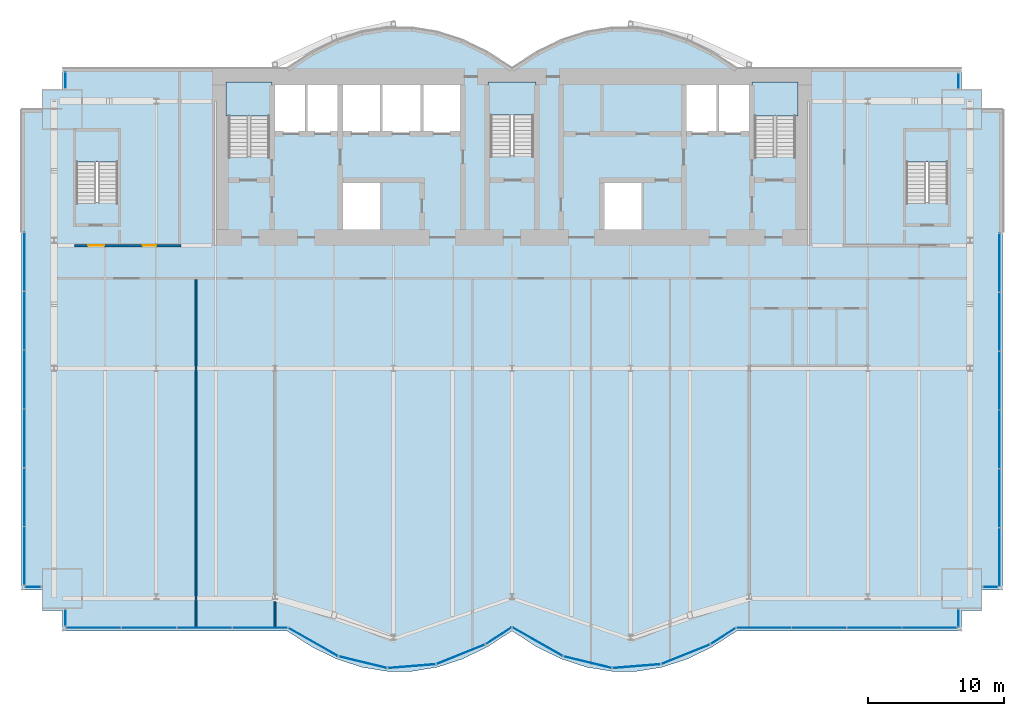
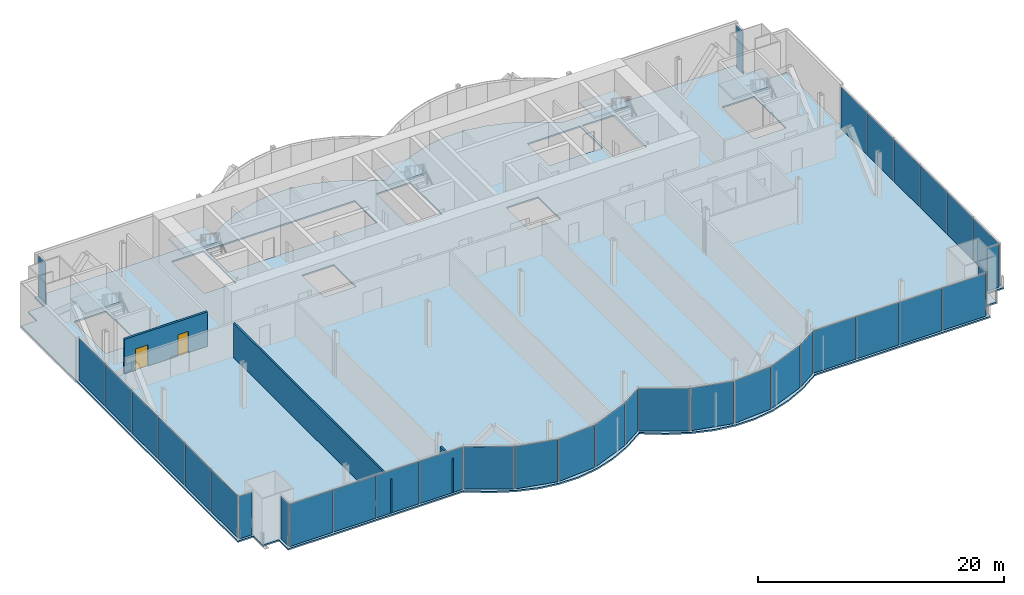
# One storey, part 14 of 21: 36 plates, 6 slabs, 3 walls, 2 doors, 2 openings, 17 elements without a shape of their own.
"""IFC4 building model written with IfcOpenShell, lengths in metres."""

from ifc_helpers import new_model, si_unit, direction, frame, frame_2d, origin, origin_2d, place, context, subcontext, project, spatial, polyline, rectangle, outline, extrude, material, layer, layer_set, type_object, element, fill, aggregate, save


model = new_model("IFC4")

# Units and contexts
model_context = context("Model", 3, precision=1e-05, world=origin(), true_north=direction((0.0, 1.0)))
body_context = subcontext(model_context, "Body", "Model", "MODEL_VIEW")
ifc_project = project(units=[si_unit("LENGTHUNIT", "METRE"), si_unit("AREAUNIT", "SQUARE_METRE"), si_unit("VOLUMEUNIT", "CUBIC_METRE"), si_unit("PLANEANGLEUNIT", "RADIAN"), si_unit("MASSUNIT", "GRAM", prefix="KILO")], contexts=[model_context])

# Site, building, storey
site_placement = place(None, origin())
site = spatial("IfcSite", under=ifc_project, at=site_placement, CompositionType="ELEMENT")
building_placement = place(site_placement, origin())
building = spatial("IfcBuilding", under=site, at=building_placement, Name="Bicima Exchange Tower", CompositionType="ELEMENT")
storey_placement = place(building_placement, frame((0.0, 0.0, 48.5)))
storey = spatial("IfcBuildingStorey", under=building, at=storey_placement, Name="L09", CompositionType="ELEMENT", Elevation=48.5)

# Slab
ifc_material_1 = material(Name="Concrete C40/50", Category="concrete")
ifc_layer_1 = layer(ifc_material_1, 0.14990234375)
ifc_layer_set_1 = layer_set([ifc_layer_1], Name="Concrete C40/50")
slab_type_1 = type_object("IfcSlabType", Name="Composite floor slab 150", PredefinedType="FLOOR", material=ifc_layer_set_1)
slab_1_placement = place(storey_placement, frame((0.0, 0.0, -0.14990234375)))
element("IfcSlab", 1, at=slab_1_placement, inside=storey, type_object=slab_type_1, Name="Floor slab", PredefinedType="FLOOR", context=body_context, shape_type="SweptSolid", body=[
    extrude(outline(polyline([(-36.0, -38.26806640625), (-36.0, -3.0), (-34.5, -3.0), (-34.5, -1.5), (-33.0, -1.5), (-33.0, 0.0), (-16.5, 0.0), (-14.666748046875, 1.185302734375), (-12.833251953125, 2.07421875), (-11.0, 2.666748046875), (-9.166748046875, 2.962890625), (-7.333251953125, 2.962890625), (-5.5, 2.666748046875), (-3.666748046875, 2.07421875), (-1.833251953125, 1.185302734375), (0.0, 0.0), (1.833251953125, 1.185302734375), (3.666748046875, 2.07421875), (5.5, 2.666748046875), (7.333251953125, 2.962890625), (9.166748046875, 2.962890625), (11.0, 2.666748046875), (12.833251953125, 2.07421875), (14.666748046875, 1.185302734375), (16.5, 0.0), (33.0, 0.0), (33.0, -1.5), (34.5, -1.5), (34.5, -3.0), (36.0, -3.0), (36.0, -38.26806640625), (34.5, -38.26806640625), (34.5, -39.76806640625), (33.0, -39.76806640625), (33.0, -41.26806640625), (16.5, -41.26806640625), (14.666748046875, -42.453125), (12.833251953125, -43.342041015625), (11.0, -43.934814453125), (9.166748046875, -44.23095703125), (7.333251953125, -44.23095703125), (5.5, -43.934814453125), (3.666748046875, -43.342041015625), (1.833251953125, -42.453125), (0.0, -41.26806640625), (-1.833251953125, -42.453125), (-3.666748046875, -43.342041015625), (-5.5, -43.934814453125), (-7.333251953125, -44.23095703125), (-9.166748046875, -44.23095703125), (-11.0, -43.934814453125), (-12.833251953125, -43.342041015625), (-14.666748046875, -42.453125), (-16.5, -41.26806640625), (-33.0, -41.26806640625), (-33.0, -39.76806640625), (-34.5, -39.76806640625), (-34.5, -38.26806640625), (-36.0, -38.26806640625)]), holes=[polyline([(-9.60009765625, -11.800048828125), (-9.60009765625, -8.199951171875), (-12.60009765625, -8.199951171875), (-12.60009765625, -11.800048828125), (-9.60009765625, -11.800048828125)]), polyline([(-31.97509765625, -9.824951171875), (-28.925048828125, -9.824951171875), (-28.925048828125, -4.625), (-31.97509765625, -4.625), (-31.97509765625, -9.824951171875)]), polyline([(-20.800048828125, -6.449951171875), (-17.800048828125, -6.449951171875), (-17.800048828125, -1.199951171875), (-20.800048828125, -1.199951171875), (-20.800048828125, -6.449951171875)]), polyline([(-9.60009765625, -1.199951171875), (-12.60009765625, -1.199951171875), (-15.10009765625, -1.199951171875), (-17.60009765625, -1.199951171875), (-17.60009765625, -4.800048828125), (-15.10009765625, -4.800048828125), (-12.60009765625, -4.800048828125), (-9.60009765625, -4.800048828125), (-6.60009765625, -4.800048828125), (-3.60009765625, -4.800048828125), (-3.60009765625, -1.199951171875), (-6.60009765625, -1.199951171875), (-9.60009765625, -1.199951171875)]), polyline([(9.60009765625, -11.800048828125), (9.60009765625, -8.199951171875), (6.60009765625, -8.199951171875), (6.60009765625, -11.800048828125), (9.60009765625, -11.800048828125)]), polyline([(28.925048828125, -9.824951171875), (31.97509765625, -9.824951171875), (31.97509765625, -4.625), (28.925048828125, -4.625), (28.925048828125, -9.824951171875)]), polyline([(17.800048828125, -6.449951171875), (20.800048828125, -6.449951171875), (20.800048828125, -1.199951171875), (17.800048828125, -1.199951171875), (17.800048828125, -6.449951171875)]), polyline([(-1.574951171875, -6.39990234375), (1.574951171875, -6.39990234375), (1.574951171875, -1.199951171875), (-1.574951171875, -1.199951171875), (-1.574951171875, -6.39990234375)]), polyline([(17.60009765625, -4.800048828125), (17.60009765625, -1.199951171875), (15.10009765625, -1.199951171875), (12.60009765625, -1.199951171875), (12.60009765625, -4.800048828125), (15.10009765625, -4.800048828125), (17.60009765625, -4.800048828125)])]), origin(), (0.0, 0.0, 1.0), 0.14990234375),
])

# Curtain wall, plates
ifc_material_2 = material(Name="Anodised bronze aluminium", Category="aluminium")
curtain_wall_type_1 = type_object("IfcCurtainWallType", Name="End face glass wall", PredefinedType="NOTDEFINED", material=ifc_material_2)
curtain_wall_1_placement = place(storey_placement, origin())
curtain_wall_1 = element("IfcCurtainWall", 2, at=curtain_wall_1_placement, inside=storey, type_object=curtain_wall_type_1, Name="End face glass wall L09 run 2", PredefinedType="NOTDEFINED")
ifc_material_3 = material(Name="Bronze tinted glass", Category="glass")
ifc_layer_2 = layer(ifc_material_3, 0.031982421875)
ifc_layer_set_2 = layer_set([ifc_layer_2], Name="Bronze tinted glass")
plate_type_1 = type_object("IfcPlateType", Name="End face glass wall glass panel 32", PredefinedType="CURTAIN_PANEL", material=ifc_layer_set_2)
plate_1_placement = place(storey_placement, frame((-35.77001953125, -18.50439453125, 0.0), z_axis=(0.0, 0.0, 1.0), x_axis=(0.0, -1.0, 0.0)))
plate_1 = element("IfcPlate", 3, at=plate_1_placement, type_object=plate_type_1, Name="End face glass wall panel 2.1", PredefinedType="CURTAIN_PANEL", context=body_context, shape_type="SweptSolid", body=[
    extrude(rectangle(XDim=4.25634765625, YDim=0.031982421875, at=origin_2d()), origin(), (0.0, 0.0, 1.0), 4.2099609375),
])
plate_2_placement = place(storey_placement, frame((-35.77001953125, -22.82080078125, 0.0), z_axis=(0.0, 0.0, 1.0), x_axis=(0.0, -1.0, 0.0)))
plate_2 = element("IfcPlate", 4, at=plate_2_placement, type_object=plate_type_1, Name="End face glass wall panel 3.1", PredefinedType="CURTAIN_PANEL", context=body_context, shape_type="SweptSolid", body=[
    extrude(rectangle(XDim=4.25634765625, YDim=0.031982421875, at=origin_2d()), origin(), (0.0, 0.0, 1.0), 4.2099609375),
])
plate_3_placement = place(storey_placement, frame((-35.77001953125, -35.769775390625, 0.0), z_axis=(0.0, 0.0, 1.0), x_axis=(0.0, -1.0, 0.0)))
plate_3 = element("IfcPlate", 5, at=plate_3_placement, type_object=plate_type_1, Name="End face glass wall panel 6.1", PredefinedType="CURTAIN_PANEL", context=body_context, shape_type="SweptSolid", body=[
    extrude(rectangle(XDim=4.25634765625, YDim=0.031982421875, at=origin_2d()), origin(), (0.0, 0.0, 1.0), 4.2099609375),
])

curtain_wall_2_placement = place(storey_placement, origin())
curtain_wall_2 = element("IfcCurtainWall", 6, at=curtain_wall_2_placement, inside=storey, type_object=curtain_wall_type_1, Name="End face glass wall L09 run 19", PredefinedType="NOTDEFINED")
plate_4_placement = place(storey_placement, frame((35.77001953125, -35.849853515625, 0.0), z_axis=(0.0, 0.0, 1.0), x_axis=(0.0, 1.0, 0.0)))
plate_4 = element("IfcPlate", 7, at=plate_4_placement, type_object=plate_type_1, Name="End face glass wall panel 1.1", PredefinedType="CURTAIN_PANEL", context=body_context, shape_type="SweptSolid", body=[
    extrude(rectangle(XDim=4.25634765625, YDim=0.031982421875, at=origin_2d()), origin(), (0.0, 0.0, 1.0), 4.2099609375),
])
plate_5_placement = place(storey_placement, frame((35.77001953125, -22.90087890625, 0.0), z_axis=(0.0, 0.0, 1.0), x_axis=(0.0, 1.0, 0.0)))
plate_5 = element("IfcPlate", 8, at=plate_5_placement, type_object=plate_type_1, Name="End face glass wall panel 4.1", PredefinedType="CURTAIN_PANEL", context=body_context, shape_type="SweptSolid", body=[
    extrude(rectangle(XDim=4.25634765625, YDim=0.031982421875, at=origin_2d()), origin(), (0.0, 0.0, 1.0), 4.2099609375),
])
plate_6_placement = place(storey_placement, frame((35.77001953125, -18.58447265625, 0.0), z_axis=(0.0, 0.0, 1.0), x_axis=(0.0, 1.0, 0.0)))
plate_6 = element("IfcPlate", 9, at=plate_6_placement, type_object=plate_type_1, Name="End face glass wall panel 5.1", PredefinedType="CURTAIN_PANEL", context=body_context, shape_type="SweptSolid", body=[
    extrude(rectangle(XDim=4.25634765625, YDim=0.031982421875, at=origin_2d()), origin(), (0.0, 0.0, 1.0), 4.2099609375),
])

# Plate
ifc_material_4 = material(Name="Bronze anodised aluminium", Category="aluminium")
ifc_layer_3 = layer(ifc_material_4, 0.031982421875)
ifc_layer_set_3 = layer_set([ifc_layer_3], Name="Bronze anodised aluminium")
plate_type_2 = type_object("IfcPlateType", Name="End face glass wall spandrel panel 32", PredefinedType="CURTAIN_PANEL", material=ifc_layer_set_3)
plate_7_placement = place(storey_placement, frame((-35.77001953125, -14.188232421875, 0.0), z_axis=(0.0, 0.0, 1.0), x_axis=(0.0, -1.0, 0.0)))
plate_7 = element("IfcPlate", 10, at=plate_7_placement, type_object=plate_type_2, Name="End face spandrel wall panel 1.1", PredefinedType="CURTAIN_PANEL", context=body_context, shape_type="SweptSolid", body=[
    extrude(rectangle(XDim=4.25634765625, YDim=0.031982421875, at=origin_2d()), origin(), (0.0, 0.0, 1.0), 4.2099609375),
])

plate_8_placement = place(storey_placement, frame((-35.77001953125, -27.13720703125, 0.0), z_axis=(0.0, 0.0, 1.0), x_axis=(0.0, -1.0, 0.0)))
plate_8 = element("IfcPlate", 11, at=plate_8_placement, type_object=plate_type_2, Name="End face spandrel wall panel 4.1", PredefinedType="CURTAIN_PANEL", context=body_context, shape_type="SweptSolid", body=[
    extrude(rectangle(XDim=4.25634765625, YDim=0.031982421875, at=origin_2d()), origin(), (0.0, 0.0, 1.0), 4.2099609375),
])

plate_9_placement = place(storey_placement, frame((-35.77001953125, -31.45361328125, 0.0), z_axis=(0.0, 0.0, 1.0), x_axis=(0.0, -1.0, 0.0)))
plate_9 = element("IfcPlate", 12, at=plate_9_placement, type_object=plate_type_2, Name="End face spandrel wall panel 5.1", PredefinedType="CURTAIN_PANEL", context=body_context, shape_type="SweptSolid", body=[
    extrude(rectangle(XDim=4.25634765625, YDim=0.031982421875, at=origin_2d()), origin(), (0.0, 0.0, 1.0), 4.2099609375),
])

aggregate(curtain_wall_1, [plate_7, plate_1, plate_2, plate_8, plate_9, plate_3])

plate_10_placement = place(storey_placement, frame((35.77001953125, -31.533447265625, 0.0), z_axis=(0.0, 0.0, 1.0), x_axis=(0.0, 1.0, 0.0)))
plate_10 = element("IfcPlate", 13, at=plate_10_placement, type_object=plate_type_2, Name="End face spandrel wall panel 2.1", PredefinedType="CURTAIN_PANEL", context=body_context, shape_type="SweptSolid", body=[
    extrude(rectangle(XDim=4.25634765625, YDim=0.031982421875, at=origin_2d()), origin(), (0.0, 0.0, 1.0), 4.2099609375),
])

plate_11_placement = place(storey_placement, frame((35.77001953125, -27.21728515625, 0.0), z_axis=(0.0, 0.0, 1.0), x_axis=(0.0, 1.0, 0.0)))
plate_11 = element("IfcPlate", 14, at=plate_11_placement, type_object=plate_type_2, Name="End face spandrel wall panel 3.1", PredefinedType="CURTAIN_PANEL", context=body_context, shape_type="SweptSolid", body=[
    extrude(rectangle(XDim=4.25634765625, YDim=0.031982421875, at=origin_2d()), origin(), (0.0, 0.0, 1.0), 4.2099609375),
])

plate_12_placement = place(storey_placement, frame((35.77001953125, -14.268310546875, 0.0), z_axis=(0.0, 0.0, 1.0), x_axis=(0.0, 1.0, 0.0)))
plate_12 = element("IfcPlate", 15, at=plate_12_placement, type_object=plate_type_2, Name="End face spandrel wall panel 6.1", PredefinedType="CURTAIN_PANEL", context=body_context, shape_type="SweptSolid", body=[
    extrude(rectangle(XDim=4.25634765625, YDim=0.031982421875, at=origin_2d()), origin(), (0.0, 0.0, 1.0), 4.2099609375),
])

aggregate(curtain_wall_2, [plate_4, plate_10, plate_11, plate_5, plate_6, plate_12])

# Curtain wall, plate
curtain_wall_type_2 = type_object("IfcCurtainWallType", Name="Front glass wall", PredefinedType="NOTDEFINED", material=ifc_material_2)
curtain_wall_3_placement = place(storey_placement, origin())
curtain_wall_3 = element("IfcCurtainWall", 16, at=curtain_wall_3_placement, inside=storey, type_object=curtain_wall_type_2, Name="Front glass wall L09 run 1", PredefinedType="NOTDEFINED")
ifc_layer_4 = layer(ifc_material_3, 0.031982421875)
ifc_layer_set_4 = layer_set([ifc_layer_4], Name="Bronze tinted glass")
plate_type_3 = type_object("IfcPlateType", Name="Front glass wall glass panel 32", PredefinedType="CURTAIN_PANEL", material=ifc_layer_set_4)
plate_13_placement = place(storey_placement, frame((-32.77001953125, -0.864990234375, 0.0), z_axis=(0.0, 0.0, 1.0), x_axis=(0.0, -1.0, 0.0)))
plate_13 = element("IfcPlate", 17, at=plate_13_placement, type_object=plate_type_3, Name="Front glass wall panel 1.1", PredefinedType="CURTAIN_PANEL", context=body_context, shape_type="SweptSolid", body=[
    extrude(rectangle(XDim=1.14990234375, YDim=0.031982421875, at=origin_2d()), origin(), (0.0, 0.0, 1.0), 4.2099609375),
])
aggregate(curtain_wall_3, [plate_13])

curtain_wall_4_placement = place(storey_placement, origin())
curtain_wall_4 = element("IfcCurtainWall", 18, at=curtain_wall_4_placement, inside=storey, type_object=curtain_wall_type_2, Name="Front glass wall L09 run 3", PredefinedType="NOTDEFINED")
plate_14_placement = place(storey_placement, frame((-35.135009765625, -38.0380859375, 0.0), z_axis=(0.0, 0.0, 1.0), x_axis=(1.0, 0.0, 0.0)))
plate_14 = element("IfcPlate", 19, at=plate_14_placement, type_object=plate_type_3, Name="Front glass wall panel 1.1", PredefinedType="CURTAIN_PANEL", context=body_context, shape_type="SweptSolid", body=[
    extrude(rectangle(XDim=1.14990234375, YDim=0.031982421875, at=origin_2d()), origin(), (0.0, 0.0, 1.0), 4.2099609375),
])
aggregate(curtain_wall_4, [plate_14])

curtain_wall_5_placement = place(storey_placement, origin())
curtain_wall_5 = element("IfcCurtainWall", 20, at=curtain_wall_5_placement, inside=storey, type_object=curtain_wall_type_2, Name="Front glass wall L09 run 4", PredefinedType="NOTDEFINED")
plate_15_placement = place(storey_placement, frame((-32.77001953125, -40.302001953125, 0.0), z_axis=(0.0, 0.0, 1.0), x_axis=(0.0, -1.0, 0.0)))
plate_15 = element("IfcPlate", 21, at=plate_15_placement, type_object=plate_type_3, Name="Front glass wall panel 1.1", PredefinedType="CURTAIN_PANEL", context=body_context, shape_type="SweptSolid", body=[
    extrude(rectangle(XDim=1.19189453125, YDim=0.031982421875, at=origin_2d()), origin(), (0.0, 0.0, 1.0), 4.2099609375),
])
aggregate(curtain_wall_5, [plate_15])

# Curtain wall, plates
curtain_wall_6_placement = place(storey_placement, origin())
curtain_wall_6 = element("IfcCurtainWall", 22, at=curtain_wall_6_placement, inside=storey, type_object=curtain_wall_type_2, Name="Front glass wall L09 run 5", PredefinedType="NOTDEFINED")
plate_16_placement = place(storey_placement, frame((-30.705322265625, -41.0380859375, 0.0), z_axis=(0.0, 0.0, 1.0), x_axis=(1.0, 0.0, 0.0)))
plate_16 = element("IfcPlate", 23, at=plate_16_placement, type_object=plate_type_3, Name="Front glass wall panel 1.1", PredefinedType="CURTAIN_PANEL", context=body_context, shape_type="SweptSolid", body=[
    extrude(rectangle(XDim=4.009521484375, YDim=0.031982421875, at=origin_2d()), origin(), (0.0, 0.0, 1.0), 4.2099609375),
])
plate_17_placement = place(storey_placement, frame((-18.496826171875, -41.0380859375, 0.0), z_axis=(0.0, 0.0, 1.0), x_axis=(1.0, 0.0, 0.0)))
plate_17 = element("IfcPlate", 24, at=plate_17_placement, type_object=plate_type_3, Name="Front glass wall panel 4.1", PredefinedType="CURTAIN_PANEL", context=body_context, shape_type="SweptSolid", body=[
    extrude(rectangle(XDim=4.009521484375, YDim=0.031982421875, at=origin_2d()), origin(), (0.0, 0.0, 1.0), 4.2099609375),
])

curtain_wall_7_placement = place(storey_placement, origin())
curtain_wall_7 = element("IfcCurtainWall", 25, at=curtain_wall_7_placement, inside=storey, type_object=curtain_wall_type_2, Name="Front glass wall L09 run 6", PredefinedType="NOTDEFINED")
plate_18_placement = place(storey_placement, frame((-14.589599609375, -42.0830078125, 0.0), z_axis=(0.0, 0.0, 1.0), x_axis=(0.869805110681, -0.493395449343, 0.0)))
plate_18 = element("IfcPlate", 26, at=plate_18_placement, type_object=plate_type_3, Name="Front glass wall panel 1.1", PredefinedType="CURTAIN_PANEL", context=body_context, shape_type="SweptSolid", body=[
    extrude(rectangle(XDim=4.1162109375, YDim=0.031982421875, at=origin_2d()), origin(), (0.0, 0.0, 1.0), 4.2099609375),
])
plate_19_placement = place(storey_placement, frame((-3.750244140625, -42.9814453125, 0.0), z_axis=(0.0, 0.0, 1.0), x_axis=(0.92714396679, 0.374705304, 0.0)))
plate_19 = element("IfcPlate", 27, at=plate_19_placement, type_object=plate_type_3, Name="Front glass wall panel 1.1", PredefinedType="CURTAIN_PANEL", context=body_context, shape_type="SweptSolid", body=[
    extrude(rectangle(XDim=3.771240234375, YDim=0.031982421875, at=origin_2d()), origin(), (0.0, 0.0, 1.0), 4.2099609375),
])
plate_20_placement = place(storey_placement, frame((-0.97314453125, -41.623291015625, 0.0), z_axis=(0.0, 0.0, 1.0), x_axis=(0.839798994301, 0.542897457326, 0.0)))
plate_20 = element("IfcPlate", 28, at=plate_20_placement, type_object=plate_type_3, Name="Front glass wall panel 1.1", PredefinedType="CURTAIN_PANEL", context=body_context, shape_type="SweptSolid", body=[
    extrude(rectangle(XDim=2.197509765625, YDim=0.031982421875, at=origin_2d()), origin(), (0.0, 0.0, 1.0), 4.2099609375),
])

curtain_wall_8_placement = place(storey_placement, origin())
curtain_wall_8 = element("IfcCurtainWall", 29, at=curtain_wall_8_placement, inside=storey, type_object=curtain_wall_type_2, Name="Front glass wall L09 run 11", PredefinedType="NOTDEFINED")
plate_21_placement = place(storey_placement, frame((1.876220703125, -42.061279296875, 0.0), z_axis=(0.0, 0.0, 1.0), x_axis=(0.869274147378, -0.494330311331, 0.0)))
plate_21 = element("IfcPlate", 30, at=plate_21_placement, type_object=plate_type_3, Name="Front glass wall panel 1.1", PredefinedType="CURTAIN_PANEL", context=body_context, shape_type="SweptSolid", body=[
    extrude(rectangle(XDim=4.197021484375, YDim=0.031982421875, at=origin_2d()), origin(), (0.0, 0.0, 1.0), 4.2099609375),
])
plate_22_placement = place(storey_placement, frame((5.55224609375, -43.564697265625, 0.0), z_axis=(0.0, 0.0, 1.0), x_axis=(0.971830343553, -0.235681529503, 0.0)))
plate_22 = element("IfcPlate", 31, at=plate_22_placement, type_object=plate_type_3, Name="Front glass wall panel 1.1", PredefinedType="CURTAIN_PANEL", context=body_context, shape_type="SweptSolid", body=[
    extrude(rectangle(XDim=3.583251953125, YDim=0.031982421875, at=origin_2d()), origin(), (0.0, 0.0, 1.0), 4.2099609375),
])
plate_23_placement = place(storey_placement, frame((12.749755859375, -42.9814453125, 0.0), z_axis=(0.0, 0.0, 1.0), x_axis=(0.92714396679, 0.374705304, 0.0)))
plate_23 = element("IfcPlate", 32, at=plate_23_placement, type_object=plate_type_3, Name="Front glass wall panel 1.1", PredefinedType="CURTAIN_PANEL", context=body_context, shape_type="SweptSolid", body=[
    extrude(rectangle(XDim=3.771240234375, YDim=0.031982421875, at=origin_2d()), origin(), (0.0, 0.0, 1.0), 4.2099609375),
])
plate_24_placement = place(storey_placement, frame((15.492919921875, -41.645263671875, 0.0), z_axis=(0.0, 0.0, 1.0), x_axis=(0.839791413941, 0.542909183079, 0.0)))
plate_24 = element("IfcPlate", 33, at=plate_24_placement, type_object=plate_type_3, Name="Front glass wall panel 1.1", PredefinedType="CURTAIN_PANEL", context=body_context, shape_type="SweptSolid", body=[
    extrude(rectangle(XDim=2.11669921875, YDim=0.031982421875, at=origin_2d()), origin(), (0.0, 0.0, 1.0), 4.2099609375),
])

curtain_wall_9_placement = place(storey_placement, origin())
curtain_wall_9 = element("IfcCurtainWall", 34, at=curtain_wall_9_placement, inside=storey, type_object=curtain_wall_type_2, Name="Front glass wall L09 run 16", PredefinedType="NOTDEFINED")
plate_25_placement = place(storey_placement, frame((18.48681640625, -41.0380859375, 0.0), z_axis=(0.0, 0.0, 1.0), x_axis=(1.0, 0.0, 0.0)))
plate_25 = element("IfcPlate", 35, at=plate_25_placement, type_object=plate_type_3, Name="Front glass wall panel 1.1", PredefinedType="CURTAIN_PANEL", context=body_context, shape_type="SweptSolid", body=[
    extrude(rectangle(XDim=3.989501953125, YDim=0.031982421875, at=origin_2d()), origin(), (0.0, 0.0, 1.0), 4.2099609375),
])
plate_26_placement = place(storey_placement, frame((30.63525390625, -41.0380859375, 0.0), z_axis=(0.0, 0.0, 1.0), x_axis=(1.0, 0.0, 0.0)))
plate_26 = element("IfcPlate", 36, at=plate_26_placement, type_object=plate_type_3, Name="Front glass wall panel 4.1", PredefinedType="CURTAIN_PANEL", context=body_context, shape_type="SweptSolid", body=[
    extrude(rectangle(XDim=3.989501953125, YDim=0.031982421875, at=origin_2d()), origin(), (0.0, 0.0, 1.0), 4.2099609375),
])

# Curtain wall, plate
curtain_wall_10_placement = place(storey_placement, origin())
curtain_wall_10 = element("IfcCurtainWall", 37, at=curtain_wall_10_placement, inside=storey, type_object=curtain_wall_type_2, Name="Front glass wall L09 run 17", PredefinedType="NOTDEFINED")
plate_27_placement = place(storey_placement, frame((32.77001953125, -40.342041015625, 0.0), z_axis=(0.0, 0.0, 1.0), x_axis=(0.0, 1.0, 0.0)))
plate_27 = element("IfcPlate", 38, at=plate_27_placement, type_object=plate_type_3, Name="Front glass wall panel 1.1", PredefinedType="CURTAIN_PANEL", context=body_context, shape_type="SweptSolid", body=[
    extrude(rectangle(XDim=1.27197265625, YDim=0.031982421875, at=origin_2d()), origin(), (0.0, 0.0, 1.0), 4.2099609375),
])
aggregate(curtain_wall_10, [plate_27])

curtain_wall_11_placement = place(storey_placement, origin())
curtain_wall_11 = element("IfcCurtainWall", 39, at=curtain_wall_11_placement, inside=storey, type_object=curtain_wall_type_2, Name="Front glass wall L09 run 18", PredefinedType="NOTDEFINED")
plate_28_placement = place(storey_placement, frame((35.094970703125, -38.0380859375, 0.0), z_axis=(0.0, 0.0, 1.0), x_axis=(1.0, 0.0, 0.0)))
plate_28 = element("IfcPlate", 40, at=plate_28_placement, type_object=plate_type_3, Name="Front glass wall panel 1.1", PredefinedType="CURTAIN_PANEL", context=body_context, shape_type="SweptSolid", body=[
    extrude(rectangle(XDim=1.070068359375, YDim=0.031982421875, at=origin_2d()), origin(), (0.0, 0.0, 1.0), 4.2099609375),
])
aggregate(curtain_wall_11, [plate_28])

curtain_wall_12_placement = place(storey_placement, origin())
curtain_wall_12 = element("IfcCurtainWall", 41, at=curtain_wall_12_placement, inside=storey, type_object=curtain_wall_type_2, Name="Front glass wall L09 run 20", PredefinedType="NOTDEFINED")
plate_29_placement = place(storey_placement, frame((32.77001953125, -0.905029296875, 0.0), z_axis=(0.0, 0.0, 1.0), x_axis=(0.0, 1.0, 0.0)))
plate_29 = element("IfcPlate", 42, at=plate_29_placement, type_object=plate_type_3, Name="Front glass wall panel 1.1", PredefinedType="CURTAIN_PANEL", context=body_context, shape_type="SweptSolid", body=[
    extrude(rectangle(XDim=1.070068359375, YDim=0.031982421875, at=origin_2d()), origin(), (0.0, 0.0, 1.0), 4.2099609375),
])
aggregate(curtain_wall_12, [plate_29])

# Plate
ifc_layer_5 = layer(ifc_material_4, 0.031982421875)
ifc_layer_set_5 = layer_set([ifc_layer_5], Name="Bronze anodised aluminium")
plate_type_4 = type_object("IfcPlateType", Name="Front glass wall spandrel panel 32", PredefinedType="CURTAIN_PANEL", material=ifc_layer_set_5)
plate_30_placement = place(storey_placement, frame((-26.6357421875, -41.0380859375, 0.0), z_axis=(0.0, 0.0, 1.0), x_axis=(1.0, 0.0, 0.0)))
plate_30 = element("IfcPlate", 43, at=plate_30_placement, type_object=plate_type_4, Name="Front spandrel wall panel 2.1", PredefinedType="CURTAIN_PANEL", context=body_context, shape_type="SweptSolid", body=[
    extrude(rectangle(XDim=4.009521484375, YDim=0.031982421875, at=origin_2d()), origin(), (0.0, 0.0, 1.0), 4.2099609375),
])

plate_31_placement = place(storey_placement, frame((-22.56640625, -41.0380859375, 0.0), z_axis=(0.0, 0.0, 1.0), x_axis=(1.0, 0.0, 0.0)))
plate_31 = element("IfcPlate", 44, at=plate_31_placement, type_object=plate_type_4, Name="Front spandrel wall panel 3.1", PredefinedType="CURTAIN_PANEL", context=body_context, shape_type="SweptSolid", body=[
    extrude(rectangle(XDim=4.009521484375, YDim=0.031982421875, at=origin_2d()), origin(), (0.0, 0.0, 1.0), 4.2099609375),
])

aggregate(curtain_wall_6, [plate_16, plate_30, plate_31, plate_17])

plate_32_placement = place(storey_placement, frame((-10.94775390625, -43.564697265625, 0.0), z_axis=(0.0, 0.0, 1.0), x_axis=(0.971830343553, -0.235681529503, 0.0)))
plate_32 = element("IfcPlate", 45, at=plate_32_placement, type_object=plate_type_4, Name="Front spandrel wall panel 1.1", PredefinedType="CURTAIN_PANEL", context=body_context, shape_type="SweptSolid", body=[
    extrude(rectangle(XDim=3.583251953125, YDim=0.031982421875, at=origin_2d()), origin(), (0.0, 0.0, 1.0), 4.2099609375),
])

plate_33_placement = place(storey_placement, frame((-7.35107421875, -43.855712890625, 0.0), z_axis=(0.0, 0.0, 1.0), x_axis=(0.99674744821, 0.080588612633, 0.0)))
plate_33 = element("IfcPlate", 46, at=plate_33_placement, type_object=plate_type_4, Name="Front spandrel wall panel 1.1", PredefinedType="CURTAIN_PANEL", context=body_context, shape_type="SweptSolid", body=[
    extrude(rectangle(XDim=3.486083984375, YDim=0.031982421875, at=origin_2d()), origin(), (0.0, 0.0, 1.0), 4.2099609375),
])

aggregate(curtain_wall_7, [plate_18, plate_32, plate_33, plate_19, plate_20])

plate_34_placement = place(storey_placement, frame((9.14892578125, -43.855712890625, 0.0), z_axis=(0.0, 0.0, 1.0), x_axis=(0.99674744821, 0.080588612633, 0.0)))
plate_34 = element("IfcPlate", 47, at=plate_34_placement, type_object=plate_type_4, Name="Front spandrel wall panel 1.1", PredefinedType="CURTAIN_PANEL", context=body_context, shape_type="SweptSolid", body=[
    extrude(rectangle(XDim=3.486083984375, YDim=0.031982421875, at=origin_2d()), origin(), (0.0, 0.0, 1.0), 4.2099609375),
])

aggregate(curtain_wall_8, [plate_21, plate_22, plate_34, plate_23, plate_24])

plate_35_placement = place(storey_placement, frame((22.536376953125, -41.0380859375, 0.0), z_axis=(0.0, 0.0, 1.0), x_axis=(1.0, 0.0, 0.0)))
plate_35 = element("IfcPlate", 48, at=plate_35_placement, type_object=plate_type_4, Name="Front spandrel wall panel 2.1", PredefinedType="CURTAIN_PANEL", context=body_context, shape_type="SweptSolid", body=[
    extrude(rectangle(XDim=3.989501953125, YDim=0.031982421875, at=origin_2d()), origin(), (0.0, 0.0, 1.0), 4.2099609375),
])

plate_36_placement = place(storey_placement, frame((26.585693359375, -41.0380859375, 0.0), z_axis=(0.0, 0.0, 1.0), x_axis=(1.0, 0.0, 0.0)))
plate_36 = element("IfcPlate", 49, at=plate_36_placement, type_object=plate_type_4, Name="Front spandrel wall panel 3.1", PredefinedType="CURTAIN_PANEL", context=body_context, shape_type="SweptSolid", body=[
    extrude(rectangle(XDim=3.989501953125, YDim=0.031982421875, at=origin_2d()), origin(), (0.0, 0.0, 1.0), 4.2099609375),
])

aggregate(curtain_wall_9, [plate_25, plate_35, plate_36, plate_26])

# Stair, slab
ifc_material_5 = material(Name="Concrete C50/60", Category="concrete")
stair_type_1 = type_object("IfcStairType", Name="Exit stair", PredefinedType="HALF_TURN_STAIR", material=ifc_material_5)
stair_1_placement = place(storey_placement, origin())
stair_1 = element("IfcStair", 50, at=stair_1_placement, inside=storey, type_object=stair_type_1, Name="L09 West exit stair", PredefinedType="HALF_TURN_STAIR")
ifc_layer_6 = layer(ifc_material_5, 0.199951171875)
ifc_layer_set_6 = layer_set([ifc_layer_6], Name="Concrete C50/60")
slab_type_2 = type_object("IfcSlabType", Name="Stair landing slab", PredefinedType="LANDING", material=ifc_layer_set_6)
slab_2_placement = place(storey_placement, frame((0.0, 0.0, 2.050048828125)))
slab_2 = element("IfcSlab", 51, at=slab_2_placement, type_object=slab_type_2, Name="ST-W landing 1", PredefinedType="LANDING", context=body_context, shape_type="SweptSolid", body=[
    extrude(outline(polyline([(-17.60009765625, -3.469970703125), (-17.60009765625, -1.0), (-21.0, -1.0), (-21.0, -3.469970703125), (-17.60009765625, -3.469970703125)])), origin(), (0.0, 0.0, 1.0), 0.199951171875),
])
aggregate(stair_1, [slab_2])

stair_type_2 = type_object("IfcStairType", Name="Exit stair 1500", PredefinedType="HALF_TURN_STAIR", material=ifc_material_5)
stair_2_placement = place(storey_placement, origin())
stair_2 = element("IfcStair", 52, at=stair_2_placement, inside=storey, type_object=stair_type_2, Name="L09 Central exit stair", PredefinedType="HALF_TURN_STAIR")
slab_3_placement = place(storey_placement, frame((0.0, 0.0, 2.050048828125)))
slab_3 = element("IfcSlab", 53, at=slab_3_placement, type_object=slab_type_2, Name="ST-C landing 1", PredefinedType="LANDING", context=body_context, shape_type="SweptSolid", body=[
    extrude(outline(polyline([(1.77490234375, -3.419921875), (1.77490234375, -1.0), (-1.77490234375, -1.0), (-1.77490234375, -3.419921875), (1.77490234375, -3.419921875)])), origin(), (0.0, 0.0, 1.0), 0.199951171875),
])
aggregate(stair_2, [slab_3])

stair_3_placement = place(storey_placement, origin())
stair_3 = element("IfcStair", 54, at=stair_3_placement, inside=storey, type_object=stair_type_1, Name="L09 East exit stair", PredefinedType="HALF_TURN_STAIR")
slab_4_placement = place(storey_placement, frame((0.0, 0.0, 2.050048828125)))
slab_4 = element("IfcSlab", 55, at=slab_4_placement, type_object=slab_type_2, Name="ST-E landing 1", PredefinedType="LANDING", context=body_context, shape_type="SweptSolid", body=[
    extrude(outline(polyline([(21.0, -3.469970703125), (21.0, -1.0), (17.60009765625, -1.0), (17.60009765625, -3.469970703125), (21.0, -3.469970703125)])), origin(), (0.0, 0.0, 1.0), 0.199951171875),
])
aggregate(stair_3, [slab_4])

stair_4_placement = place(storey_placement, origin())
stair_4 = element("IfcStair", 56, at=stair_4_placement, inside=storey, type_object=stair_type_1, Name="L09 West end exit stair", PredefinedType="HALF_TURN_STAIR")
slab_5_placement = place(storey_placement, frame((0.0, 0.0, 2.050048828125)))
slab_5 = element("IfcSlab", 57, at=slab_5_placement, type_object=slab_type_2, Name="ST-WW landing 1", PredefinedType="LANDING", context=body_context, shape_type="SweptSolid", body=[
    extrude(outline(polyline([(-28.72509765625, -6.844970703125), (-28.72509765625, -4.425048828125), (-32.175048828125, -4.425048828125), (-32.175048828125, -6.844970703125), (-28.72509765625, -6.844970703125)])), origin(), (0.0, 0.0, 1.0), 0.199951171875),
])
aggregate(stair_4, [slab_5])

stair_5_placement = place(storey_placement, origin())
stair_5 = element("IfcStair", 58, at=stair_5_placement, inside=storey, type_object=stair_type_1, Name="L09 East end exit stair", PredefinedType="HALF_TURN_STAIR")
slab_6_placement = place(storey_placement, frame((0.0, 0.0, 2.050048828125)))
slab_6 = element("IfcSlab", 59, at=slab_6_placement, type_object=slab_type_2, Name="ST-EE landing 1", PredefinedType="LANDING", context=body_context, shape_type="SweptSolid", body=[
    extrude(outline(polyline([(32.175048828125, -6.844970703125), (32.175048828125, -4.425048828125), (28.72509765625, -4.425048828125), (28.72509765625, -6.844970703125), (32.175048828125, -6.844970703125)])), origin(), (0.0, 0.0, 1.0), 0.199951171875),
])
aggregate(stair_5, [slab_6])

# Wall, openings, doors
ifc_material_6 = material(Name="Gypsum board partition")
ifc_layer_7 = layer(ifc_material_6, 0.199951171875)
ifc_layer_set_7 = layer_set([ifc_layer_7], Name="Gypsum board partition")
wall_type_1 = type_object("IfcWallType", Name="Fire-rated gypsum partition 200 EI60", PredefinedType="PARTITIONING", material=ifc_layer_set_7)
wall_1_placement = place(storey_placement, frame((-32.10009765625, -13.0, 0.0), z_axis=(0.0, 0.0, 1.0), x_axis=(1.0, 0.0, 0.0)))
wall_1 = element("IfcWall", 60, at=wall_1_placement, inside=storey, type_object=wall_type_1, Name="partition wall 4", PredefinedType="PARTITIONING", context=body_context, shape_type="SweptSolid", body=[
    extrude(rectangle(XDim=7.800048828125, YDim=0.199951171875, at=frame_2d((3.89990234375, 0.0))), origin(), (0.0, 0.0, 1.0), 3.418212890625),
])
opening_1_placement = place(wall_1_placement, frame((1.0, 0.0, 0.0)))
opening_1 = element("IfcOpeningElement", 61, at=opening_1_placement, cuts=wall_1, Name="Opening L09-001", PredefinedType="OPENING", context=body_context, shape_type="SweptSolid", body=[
    extrude(rectangle(XDim=1.199951171875, YDim=2.10009765625, at=frame_2d((0.60009765625, 1.050048828125))), frame((0.0, 0.11181640625, 0.0), z_axis=(0.0, -1.0, 0.0), x_axis=(1.0, 0.0, 0.0)), (0.0, 0.0, 1.0), 0.223876953125),
])
opening_2_placement = place(wall_1_placement, frame((5.0, 0.0, 0.0)))
opening_2 = element("IfcOpeningElement", 62, at=opening_2_placement, cuts=wall_1, Name="Opening L09-005", PredefinedType="OPENING", context=body_context, shape_type="SweptSolid", body=[
    extrude(rectangle(XDim=1.0, YDim=2.10009765625, at=frame_2d((0.5, 1.050048828125))), frame((0.0, 0.11181640625, 0.0), z_axis=(0.0, -1.0, 0.0), x_axis=(1.0, 0.0, 0.0)), (0.0, 0.0, 1.0), 0.223876953125),
])
ifc_material_7 = material(Name="Steel fire door leaf", Category="steel")
door_type_1 = type_object("IfcDoorType", Name="Door 1000 swing FD30S", OperationType="SINGLE_SWING_LEFT", PredefinedType="DOOR", material=ifc_material_7)
door_1_placement = place(opening_2_placement, origin())
door_1 = element("IfcDoor", 63, at=door_1_placement, inside=storey, type_object=door_type_1, Name="Door", OperationType="SINGLE_SWING_LEFT", OverallHeight=2.10009765625, OverallWidth=1.0, PredefinedType="DOOR", context=body_context, shape_type="SweptSolid", body=[
    extrude(rectangle(XDim=1.0, YDim=2.10009765625, at=frame_2d((0.5, 1.050048828125))), frame((0.0, 0.02490234375, 0.0), z_axis=(0.0, -1.0, 0.0), x_axis=(1.0, 0.0, 0.0)), (0.0, 0.0, 1.0), 0.050048828125),
])
fill(opening_2, door_1)
door_type_2 = type_object("IfcDoorType", Name="Door 1200 swing FD30S", OperationType="SINGLE_SWING_LEFT", PredefinedType="DOOR", material=ifc_material_7)
door_2_placement = place(opening_1_placement, origin())
door_2 = element("IfcDoor", 64, at=door_2_placement, inside=storey, type_object=door_type_2, Name="Door", OperationType="SINGLE_SWING_LEFT", OverallHeight=2.10009765625, OverallWidth=1.199951171875, PredefinedType="DOOR", context=body_context, shape_type="SweptSolid", body=[
    extrude(rectangle(XDim=1.199951171875, YDim=2.10009765625, at=frame_2d((0.60009765625, 1.050048828125))), frame((0.0, 0.02490234375, 0.0), z_axis=(0.0, -1.0, 0.0), x_axis=(1.0, 0.0, 0.0)), (0.0, 0.0, 1.0), 0.050048828125),
])
fill(opening_1, door_2)

# Walls
ifc_layer_8 = layer(ifc_material_6, 0.14990234375)
ifc_layer_set_8 = layer_set([ifc_layer_8], Name="Gypsum board partition")
wall_type_2 = type_object("IfcWallType", Name="Gypsum partition 150", PredefinedType="PARTITIONING", material=ifc_layer_set_8)
wall_2_placement = place(storey_placement, frame((-23.199951171875, -41.06005859375, 0.0), z_axis=(0.0, 0.0, 1.0), x_axis=(0.0, 1.0, 0.0)))
element("IfcWall", 65, at=wall_2_placement, inside=storey, type_object=wall_type_2, Name="partition wall 15", PredefinedType="PARTITIONING", context=body_context, shape_type="SweptSolid", body=[
    extrude(rectangle(XDim=25.56005859375, YDim=0.14990234375, at=frame_2d((12.780029296875, 0.0))), origin(), (0.0, 0.0, 1.0), 3.418212890625),
])
wall_3_placement = place(storey_placement, frame((-17.39990234375, -41.06005859375, 0.0), z_axis=(0.0, 0.0, 1.0), x_axis=(0.0, 1.0, 0.0)))
element("IfcWall", 66, at=wall_3_placement, inside=storey, type_object=wall_type_2, Name="partition wall 16", PredefinedType="PARTITIONING", context=body_context, shape_type="SweptSolid", body=[
    extrude(rectangle(XDim=1.954833984375, YDim=0.14990234375, at=frame_2d((0.9775390625, 0.0))), origin(), (0.0, 0.0, 1.0), 3.418212890625),
])

save(model, "model.ifc")
